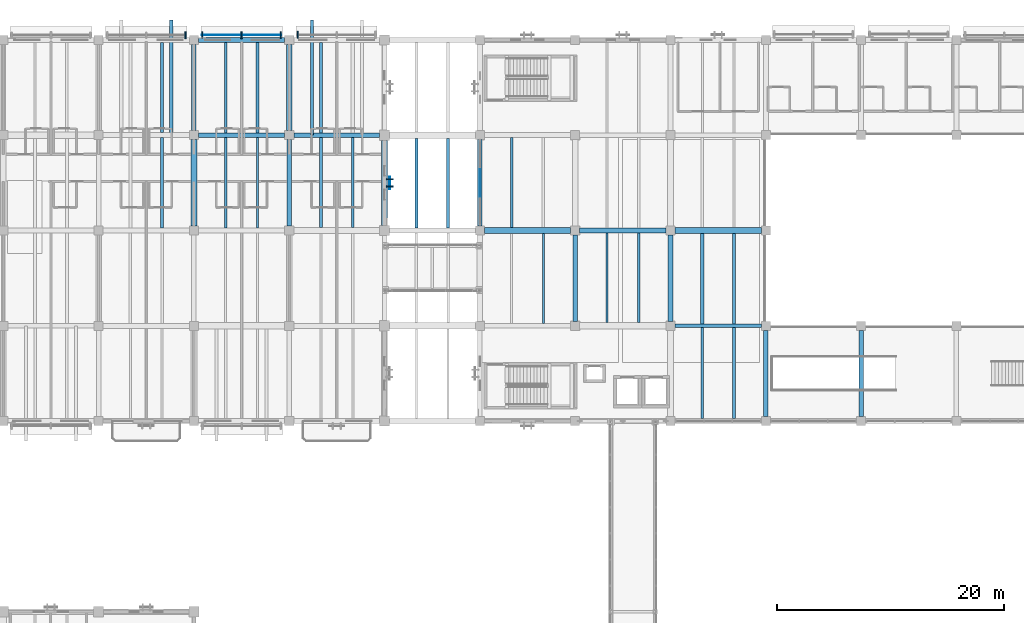
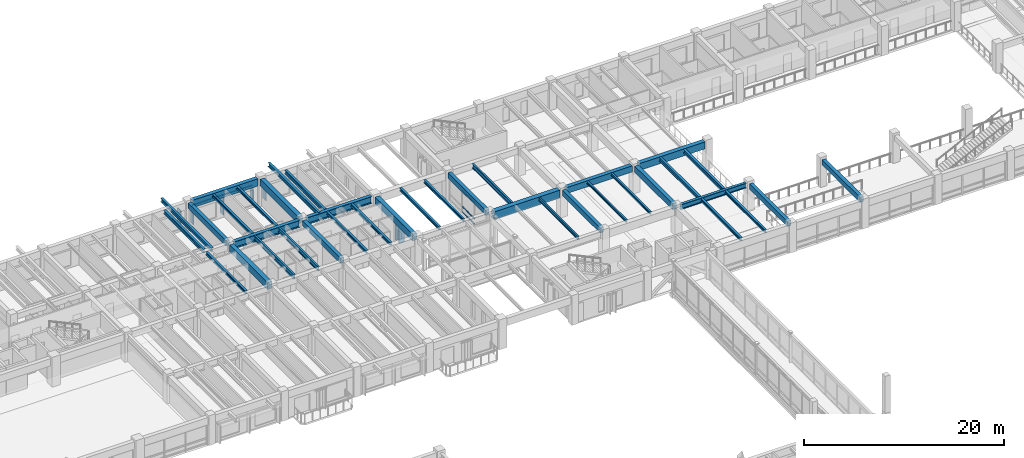
# One storey, part 37 of 118: 38 beams, 12 members, 5 elements without a shape of their own.
"""IFC4 building model written with IfcOpenShell, lengths in metres."""

from ifc_helpers import new_model, si_unit, direction, frame, origin, origin_2d, place, context, subcontext, project, spatial, rectangle, i_section, extrude, material, material_profile, profile_set, type_object, element, aggregate, save


model = new_model("IFC4")

# Units and contexts
model_context = context("Model", 3, precision=1e-05, world=origin(), true_north=direction((0.0, 1.0)))
body_context = subcontext(model_context, "Body", "Model", "MODEL_VIEW")
ifc_project = project(units=[si_unit("LENGTHUNIT", "METRE"), si_unit("AREAUNIT", "SQUARE_METRE"), si_unit("VOLUMEUNIT", "CUBIC_METRE"), si_unit("PLANEANGLEUNIT", "RADIAN"), si_unit("MASSUNIT", "GRAM", prefix="KILO")], contexts=[model_context])

# Site, building, storey
site_placement = place(None, origin())
site = spatial("IfcSite", under=ifc_project, at=site_placement, CompositionType="ELEMENT")
building_placement = place(site_placement, origin())
building = spatial("IfcBuilding", under=site, at=building_placement, Name="Cumbredor Promenade Congress Hotel", CompositionType="ELEMENT")
storey_placement = place(building_placement, frame((0.0, 0.0, 3.919921875)))
storey = spatial("IfcBuildingStorey", under=building, at=storey_placement, Name="L01", CompositionType="ELEMENT", Elevation=3.919921875)

# Beams
ifc_material_1 = material(Name="Concrete C40/50", Category="concrete")
ifc_material_profile_1 = material_profile(ifc_material_1, rectangle(XDim=0.39990234375, YDim=0.64990234375, at=origin_2d()), Name="RC BEAM 400x650")
ifc_profile_set_1 = profile_set([ifc_material_profile_1], Name="Concrete C40/50")
beam_type_1 = type_object("IfcBeamType", Name="BM-RC-400x650", PredefinedType="BEAM", material=ifc_profile_set_1)
beam_1_placement = place(storey_placement, frame((67.199951171875, 109.60009765625, 3.03515625), z_axis=(0.0, 1.0, 0.0), x_axis=(-1.0, 0.0, 0.0)))
element("IfcBeam", 1, at=beam_1_placement, inside=storey, type_object=beam_type_1, Name="L02 Y-Grid Beam 133", PredefinedType="BEAM", context=body_context, shape_type="SweptSolid", body=[
    extrude(rectangle(XDim=0.39990234375, YDim=0.64990234375, at=origin_2d()), origin(), (0.0, 0.0, 1.0), 7.599853515625),
])
for number, where, z_axis, x_axis, name in (
    (2, (75.60009765625, 101.199951171875, 3.03515625), (0.0, 1.0, 0.0), (-1.0, 0.0, 0.0), "L02 Y-Grid Beam 149"),
    (3, (92.39990234375, 101.199951171875, 3.03515625), (0.0, 1.0, 0.0), (-1.0, 0.0, 0.0), "L02 Y-Grid Beam 177"),
):
    element("IfcBeam", number, at=place(storey_placement, frame(where, z_axis=z_axis, x_axis=x_axis)), inside=storey, type_object=beam_type_1, Name=name, PredefinedType="BEAM", context=body_context, shape_type="SweptSolid", body=[
        extrude(rectangle(XDim=0.39990234375, YDim=0.64990234375, at=origin_2d()), origin(), (0.0, 0.0, 1.0), 7.60009765625),
    ])
beam_2_placement = place(storey_placement, frame((100.800048828125, 92.800048828125, 3.03515625), z_axis=(0.0, 1.0, 0.0), x_axis=(-1.0, 0.0, 0.0)))
element("IfcBeam", 4, at=beam_2_placement, inside=storey, type_object=beam_type_1, Name="L02 Y-Grid Beam 189", PredefinedType="BEAM", context=body_context, shape_type="SweptSolid", body=[
    extrude(rectangle(XDim=0.39990234375, YDim=0.64990234375, at=origin_2d()), origin(), (0.0, 0.0, 1.0), 7.599853515625),
])
for number, where, z_axis, x_axis, name in (
    (5, (117.60009765625, 84.39990234375, 3.03515625), (0.0, 1.0, 0.0), (-1.0, 0.0, 0.0), "L02 Y-Grid Beam 209"),
    (6, (126.0, 84.39990234375, 3.03515625), (0.0, 1.0, 0.0), (-1.0, 0.0, 0.0), "L02 Y-Grid Beam 213"),
):
    element("IfcBeam", number, at=place(storey_placement, frame(where, z_axis=z_axis, x_axis=x_axis)), inside=storey, type_object=beam_type_1, Name=name, PredefinedType="BEAM", context=body_context, shape_type="SweptSolid", body=[
        extrude(rectangle(XDim=0.39990234375, YDim=0.64990234375, at=origin_2d()), origin(), (0.0, 0.0, 1.0), 7.60009765625),
    ])
ifc_material_profile_2 = material_profile(ifc_material_1, rectangle(XDim=0.449951171875, YDim=0.75, at=origin_2d()), Name="RC BEAM 450x750")
ifc_profile_set_2 = profile_set([ifc_material_profile_2], Name="Concrete C40/50")
beam_type_2 = type_object("IfcBeamType", Name="BM-RC-450x750", PredefinedType="BEAM", material=ifc_profile_set_2)
beam_3_placement = place(storey_placement, frame((101.199951171875, 100.800048828125, 2.985107421875), z_axis=(1.0, 0.0, 0.0), x_axis=(0.0, 1.0, 0.0)))
element("IfcBeam", 7, at=beam_3_placement, inside=storey, type_object=beam_type_2, Name="L02 X-Grid Beam 190", PredefinedType="BEAM", context=body_context, shape_type="SweptSolid", body=[
    extrude(rectangle(XDim=0.449951171875, YDim=0.75, at=origin_2d()), origin(), (0.0, 0.0, 1.0), 7.60009765625),
])
beam_4_placement = place(storey_placement, frame((109.199951171875, 92.800048828125, 2.985107421875), z_axis=(0.0, 1.0, 0.0), x_axis=(-1.0, 0.0, 0.0)))
element("IfcBeam", 8, at=beam_4_placement, inside=storey, type_object=beam_type_2, Name="L02 Y-Grid Beam 202", PredefinedType="BEAM", context=body_context, shape_type="SweptSolid", body=[
    extrude(rectangle(XDim=0.449951171875, YDim=0.75, at=origin_2d()), origin(), (0.0, 0.0, 1.0), 7.599853515625),
])
ifc_material_profile_3 = material_profile(ifc_material_1, rectangle(XDim=0.5, YDim=0.85009765625, at=origin_2d()), Name="RC BEAM 500x850")
ifc_profile_set_3 = profile_set([ifc_material_profile_3], Name="Concrete C40/50")
beam_type_3 = type_object("IfcBeamType", Name="BM-RC-500x850", PredefinedType="BEAM", material=ifc_profile_set_3)
beam_5_placement = place(storey_placement, frame((67.199951171875, 101.199951171875, 2.93505859375), z_axis=(0.0, 1.0, 0.0), x_axis=(-1.0, 0.0, 0.0)))
element("IfcBeam", 9, at=beam_5_placement, inside=storey, type_object=beam_type_3, Name="L02 Y-Grid Beam 131", PredefinedType="BEAM", context=body_context, shape_type="SweptSolid", body=[
    extrude(rectangle(XDim=0.5, YDim=0.85009765625, at=origin_2d()), origin(), (0.0, 0.0, 1.0), 7.60009765625),
])
beam_6_placement = place(storey_placement, frame((75.60009765625, 109.60009765625, 2.93505859375), z_axis=(0.0, 1.0, 0.0), x_axis=(-1.0, 0.0, 0.0)))
element("IfcBeam", 10, at=beam_6_placement, inside=storey, type_object=beam_type_3, Name="L02 Y-Grid Beam 151", PredefinedType="BEAM", context=body_context, shape_type="SweptSolid", body=[
    extrude(rectangle(XDim=0.5, YDim=0.85009765625, at=origin_2d()), origin(), (0.0, 0.0, 1.0), 7.599853515625),
])
beam_7_placement = place(storey_placement, frame((84.0, 101.25, 2.93505859375), z_axis=(0.0, 1.0, 0.0), x_axis=(-1.0, 0.0, 0.0)))
element("IfcBeam", 11, at=beam_7_placement, inside=storey, type_object=beam_type_3, Name="L02 Y-Grid Beam 163", PredefinedType="BEAM", context=body_context, shape_type="SweptSolid", body=[
    extrude(rectangle(XDim=0.5, YDim=0.85009765625, at=origin_2d()), origin(), (0.0, 0.0, 1.0), 7.5),
])
beam_8_placement = place(storey_placement, frame((109.60009765625, 100.800048828125, 2.93505859375), z_axis=(1.0, 0.0, 0.0), x_axis=(0.0, 1.0, 0.0)))
element("IfcBeam", 12, at=beam_8_placement, inside=storey, type_object=beam_type_3, Name="L02 X-Grid Beam 203", PredefinedType="BEAM", context=body_context, shape_type="SweptSolid", body=[
    extrude(rectangle(XDim=0.5, YDim=0.85009765625, at=origin_2d()), origin(), (0.0, 0.0, 1.0), 7.599853515625),
])
ifc_material_profile_4 = material_profile(ifc_material_1, rectangle(XDim=0.550048828125, YDim=0.949951171875, at=origin_2d()), Name="RC BEAM 550x950")
ifc_profile_set_4 = profile_set([ifc_material_profile_4], Name="Concrete C40/50")
beam_type_4 = type_object("IfcBeamType", Name="BM-RC-550x950", PredefinedType="BEAM", material=ifc_profile_set_4)
beam_9_placement = place(storey_placement, frame((92.800048828125, 100.800048828125, 2.885009765625), z_axis=(1.0, 0.0, 0.0), x_axis=(0.0, 1.0, 0.0)))
element("IfcBeam", 13, at=beam_9_placement, inside=storey, type_object=beam_type_4, Name="L02 X-Grid Beam 176", PredefinedType="BEAM", context=body_context, shape_type="SweptSolid", body=[
    extrude(rectangle(XDim=0.550048828125, YDim=0.949951171875, at=origin_2d()), origin(), (0.0, 0.0, 1.0), 7.599853515625),
])
ifc_material_2 = material(Name="Steel ASTM A992 Grade 50", Category="steel")
ifc_material_profile_5 = material_profile(ifc_material_2, i_section(OverallWidth=0.323974609375, OverallDepth=0.611083984375, WebThickness=0.0126953125, FlangeThickness=0.01904296875, at=origin_2d()), Name="W24X104")
ifc_profile_set_5 = profile_set([ifc_material_profile_5], Name="Steel ASTM A992 Grade 50")
beam_type_5 = type_object("IfcBeamType", Name="BM-W24X104", PredefinedType="BEAM", material=ifc_profile_set_5)
beam_10_placement = place(storey_placement, frame((109.60009765625, 92.39990234375, 3.0546875), z_axis=(1.0, 0.0, 0.0), x_axis=(0.0, 1.0, 0.0)))
element("IfcBeam", 14, at=beam_10_placement, inside=storey, type_object=beam_type_5, Name="L02 X-Grid Beam 201", PredefinedType="BEAM", context=body_context, shape_type="SweptSolid", body=[
    extrude(i_section(OverallWidth=0.323974609375, OverallDepth=0.611083984375, WebThickness=0.0126953125, FlangeThickness=0.01904296875, at=origin_2d()), origin(), (0.0, 0.0, 1.0), 7.599853515625),
])
ifc_material_profile_6 = material_profile(ifc_material_2, i_section(OverallWidth=0.39990234375, OverallDepth=0.85498046875, WebThickness=0.018310546875, FlangeThickness=0.029296875, at=origin_2d()), Name="W33X201")
ifc_profile_set_6 = profile_set([ifc_material_profile_6], Name="Steel ASTM A992 Grade 50")
beam_type_6 = type_object("IfcBeamType", Name="BM-W33X201", PredefinedType="BEAM", material=ifc_profile_set_6)
beam_11_placement = place(storey_placement, frame((67.60009765625, 109.199951171875, 2.9326171875), z_axis=(1.0, 0.0, 0.0), x_axis=(0.0, 1.0, 0.0)))
element("IfcBeam", 15, at=beam_11_placement, inside=storey, type_object=beam_type_6, Name="L02 X-Grid Beam 132", PredefinedType="BEAM", context=body_context, shape_type="SweptSolid", body=[
    extrude(i_section(OverallWidth=0.39990234375, OverallDepth=0.85498046875, WebThickness=0.018310546875, FlangeThickness=0.029296875, at=origin_2d()), origin(), (0.0, 0.0, 1.0), 7.599853515625),
])
beam_12_placement = place(storey_placement, frame((76.0, 109.199951171875, 2.9326171875), z_axis=(1.0, 0.0, 0.0), x_axis=(0.0, 1.0, 0.0)))
element("IfcBeam", 16, at=beam_12_placement, inside=storey, type_object=beam_type_6, Name="L02 X-Grid Beam 150", PredefinedType="BEAM", context=body_context, shape_type="SweptSolid", body=[
    extrude(i_section(OverallWidth=0.39990234375, OverallDepth=0.85498046875, WebThickness=0.018310546875, FlangeThickness=0.029296875, at=origin_2d()), origin(), (0.0, 0.0, 1.0), 7.550048828125),
])

# Curtain wall, members
ifc_material_3 = material(Name="Thermally broken anodized aluminium and low-E glass", Category="aluminium")
curtain_wall_type_1 = type_object("IfcCurtainWallType", Name="Unitised Forum Curtain Wall CW-02", PredefinedType="NOTDEFINED", material=ifc_material_3)
curtain_wall_1_placement = place(storey_placement, origin())
curtain_wall_1 = element("IfcCurtainWall", 17, at=curtain_wall_1_placement, inside=storey, type_object=curtain_wall_type_1, Name="L01 Pre-Function and Breakout Meeting Forum West Curtain Wall 3", PredefinedType="NOTDEFINED")
ifc_material_4 = material(Name="Thermally broken anodized aluminium", Category="aluminium")
ifc_material_profile_7 = material_profile(ifc_material_4, rectangle(XDim=0.06494140625, YDim=0.1298828125, at=origin_2d()), Name="ALU TRANSOM 65x130")
ifc_profile_set_7 = profile_set([ifc_material_profile_7], Name="Thermally broken anodized aluminium")
member_type_1 = type_object("IfcMemberType", Name="Curtain Wall Transom TR-01", PredefinedType="USERDEFINED", material=ifc_profile_set_7)
member_1_placement = place(storey_placement, frame((92.39990234375, 103.7841796875, 0.06005859375), z_axis=(0.0, 1.0, 0.0), x_axis=(-1.0, 0.0, 0.0)))
member_1 = element("IfcMember", 18, at=member_1_placement, type_object=member_type_1, Name="L01 Pre-Function and Breakout Meeting Forum West Curtain Wall 3 Transom 2.1", ObjectType="TRANSOM", PredefinedType="USERDEFINED", context=body_context, shape_type="SweptSolid", body=[
    extrude(rectangle(XDim=0.06494140625, YDim=0.1298828125, at=origin_2d()), origin(), (0.0, 0.0, 1.0), 2.431640625),
])
member_2_placement = place(storey_placement, frame((92.39990234375, 103.7841796875, 0.719970703125), z_axis=(0.0, 1.0, 0.0), x_axis=(-1.0, 0.0, 0.0)))
member_2 = element("IfcMember", 19, at=member_2_placement, type_object=member_type_1, Name="L01 Pre-Function and Breakout Meeting Forum West Curtain Wall 3 Transom 2.2", ObjectType="TRANSOM", PredefinedType="USERDEFINED", context=body_context, shape_type="SweptSolid", body=[
    extrude(rectangle(XDim=0.06494140625, YDim=0.1298828125, at=origin_2d()), origin(), (0.0, 0.0, 1.0), 2.431640625),
])
member_3_placement = place(storey_placement, frame((92.39990234375, 103.7841796875, 2.630126953125), z_axis=(0.0, 1.0, 0.0), x_axis=(-1.0, 0.0, 0.0)))
member_3 = element("IfcMember", 20, at=member_3_placement, type_object=member_type_1, Name="L01 Pre-Function and Breakout Meeting Forum West Curtain Wall 3 Transom 2.3", ObjectType="TRANSOM", PredefinedType="USERDEFINED", context=body_context, shape_type="SweptSolid", body=[
    extrude(rectangle(XDim=0.06494140625, YDim=0.1298828125, at=origin_2d()), origin(), (0.0, 0.0, 1.0), 2.431640625),
])
aggregate(curtain_wall_1, [member_1, member_2, member_3])

# Curtain wall, member
curtain_wall_type_2 = type_object("IfcCurtainWallType", Name="Solar Brise-Soleil Screen Assembly CW-07", PredefinedType="NOTDEFINED", material=ifc_material_3)
curtain_wall_2_placement = place(storey_placement, origin())
curtain_wall_2 = element("IfcCurtainWall", 21, at=curtain_wall_2_placement, inside=storey, type_object=curtain_wall_type_2, Name="L01 Hospitality Brise-Soleil Screen 028", PredefinedType="NOTDEFINED")
member_4_placement = place(storey_placement, frame((67.90087890625, 118.0224609375, 2.26513671875), z_axis=(1.0, 0.0, 0.0), x_axis=(0.0, 1.0, 0.0)))
member_4 = element("IfcMember", 22, at=member_4_placement, type_object=member_type_1, Name="L01 Brise-Soleil Screen Transom 028", ObjectType="TRANSOM", PredefinedType="USERDEFINED", context=body_context, shape_type="SweptSolid", body=[
    extrude(rectangle(XDim=0.06494140625, YDim=0.1298828125, at=origin_2d()), origin(), (0.0, 0.0, 1.0), 6.998046875),
])

curtain_wall_3_placement = place(storey_placement, origin())
curtain_wall_3 = element("IfcCurtainWall", 23, at=curtain_wall_3_placement, inside=storey, type_object=curtain_wall_type_2, Name="L01 Pier Brise-Soleil Screen 0346", PredefinedType="NOTDEFINED")
member_5_placement = place(storey_placement, frame((84.449951171875, 104.449951171875, 2.3349609375), z_axis=(0.0, 1.0, 0.0), x_axis=(-1.0, 0.0, 0.0)))
member_5 = element("IfcMember", 24, at=member_5_placement, type_object=member_type_1, Name="L01 Pier Brise-Soleil Header 0348", ObjectType="TRANSOM", PredefinedType="USERDEFINED", context=body_context, shape_type="SweptSolid", body=[
    extrude(rectangle(XDim=0.06494140625, YDim=0.1298828125, at=origin_2d()), origin(), (0.0, 0.0, 1.0), 1.10009765625),
])

# Beams
ifc_material_profile_8 = material_profile(ifc_material_2, i_section(OverallWidth=0.202880859375, OverallDepth=0.302978515625, WebThickness=0.007568359375, FlangeThickness=0.01318359375, at=origin_2d()), Name="W12X40")
ifc_profile_set_8 = profile_set([ifc_material_profile_8], Name="Steel ASTM A992 Grade 50")
beam_type_7 = type_object("IfcBeamType", Name="JST-W12X40", PredefinedType="JOIST", material=ifc_profile_set_8)
for number, where, z_axis, x_axis, name in (
    (25, (103.60009765625, 92.675048828125, 3.20849609375), (0.0, 1.0, 0.0), (-1.0, 0.0, 0.0), "L02 Secondary Floor Joist 0112"),
    (26, (106.39990234375, 92.675048828125, 3.20849609375), (0.0, 1.0, 0.0), (-1.0, 0.0, 0.0), "L02 Secondary Floor Joist 0113"),
):
    element("IfcBeam", number, at=place(storey_placement, frame(where, z_axis=z_axis, x_axis=x_axis)), inside=storey, type_object=beam_type_7, Name=name, PredefinedType="JOIST", context=body_context, shape_type="SweptSolid", body=[
        extrude(i_section(OverallWidth=0.202880859375, OverallDepth=0.302978515625, WebThickness=0.007568359375, FlangeThickness=0.01318359375, at=origin_2d()), origin(), (0.0, 0.0, 1.0), 7.89990234375),
    ])
ifc_material_profile_9 = material_profile(ifc_material_2, i_section(OverallWidth=0.2548828125, OverallDepth=0.35693359375, WebThickness=0.010498046875, FlangeThickness=0.018310546875, at=origin_2d()), Name="W14X68")
ifc_profile_set_9 = profile_set([ifc_material_profile_9], Name="Steel ASTM A992 Grade 50")
beam_type_8 = type_object("IfcBeamType", Name="JST-W14X68", PredefinedType="JOIST", material=ifc_profile_set_9)
for number, where, z_axis, x_axis, name in (
    (27, (64.39990234375, 101.0, 3.181640625), (0.0, 1.0, 0.0), (-1.0, 0.0, 0.0), "L02 Secondary Floor Joist 0059"),
    (28, (70.0, 109.39990234375, 3.181640625), (0.0, 1.0, 0.0), (-1.0, 0.0, 0.0), "L02 Secondary Floor Joist 0078"),
    (29, (72.800048828125, 109.39990234375, 3.181640625), (0.0, 1.0, 0.0), (-1.0, 0.0, 0.0), "L02 Secondary Floor Joist 0079"),
):
    element("IfcBeam", number, at=place(storey_placement, frame(where, z_axis=z_axis, x_axis=x_axis)), inside=storey, type_object=beam_type_8, Name=name, PredefinedType="JOIST", context=body_context, shape_type="SweptSolid", body=[
        extrude(i_section(OverallWidth=0.2548828125, OverallDepth=0.35693359375, WebThickness=0.010498046875, FlangeThickness=0.018310546875, at=origin_2d()), origin(), (0.0, 0.0, 1.0), 7.97509765625),
    ])
for number, where, z_axis, x_axis, name in (
    (30, (78.39990234375, 101.074951171875, 3.181640625), (0.0, 1.0, 0.0), (-1.0, 0.0, 0.0), "L02 Secondary Floor Joist 0088"),
    (31, (81.199951171875, 101.074951171875, 3.181640625), (0.0, 1.0, 0.0), (-1.0, 0.0, 0.0), "L02 Secondary Floor Joist 0089"),
    (32, (86.800048828125, 101.0, 3.181640625), (0.0, 1.0, 0.0), (-1.0, 0.0, 0.0), "L02 Secondary Floor Joist 0098"),
    (33, (89.60009765625, 101.0, 3.181640625), (0.0, 1.0, 0.0), (-1.0, 0.0, 0.0), "L02 Secondary Floor Joist 0099"),
):
    element("IfcBeam", number, at=place(storey_placement, frame(where, z_axis=z_axis, x_axis=x_axis)), inside=storey, type_object=beam_type_8, Name=name, PredefinedType="JOIST", context=body_context, shape_type="SweptSolid", body=[
        extrude(i_section(OverallWidth=0.2548828125, OverallDepth=0.35693359375, WebThickness=0.010498046875, FlangeThickness=0.018310546875, at=origin_2d()), origin(), (0.0, 0.0, 1.0), 7.925048828125),
    ])
for number, where, z_axis, x_axis, name in (
    (34, (112.0, 84.22509765625, 3.181640625), (0.0, 1.0, 0.0), (-1.0, 0.0, 0.0), "L02 Secondary Floor Joist 0118"),
    (35, (114.800048828125, 84.22509765625, 3.181640625), (0.0, 1.0, 0.0), (-1.0, 0.0, 0.0), "L02 Secondary Floor Joist 0119"),
):
    element("IfcBeam", number, at=place(storey_placement, frame(where, z_axis=z_axis, x_axis=x_axis)), inside=storey, type_object=beam_type_8, Name=name, PredefinedType="JOIST", context=body_context, shape_type="SweptSolid", body=[
        extrude(i_section(OverallWidth=0.2548828125, OverallDepth=0.35693359375, WebThickness=0.010498046875, FlangeThickness=0.018310546875, at=origin_2d()), origin(), (0.0, 0.0, 1.0), 8.012939453125),
    ])
ifc_material_profile_10 = material_profile(ifc_material_2, i_section(OverallWidth=0.180908203125, OverallDepth=0.4169921875, WebThickness=0.010986328125, FlangeThickness=0.018310546875, at=origin_2d()), Name="W16X57")
ifc_profile_set_10 = profile_set([ifc_material_profile_10], Name="Steel ASTM A992 Grade 50")
beam_type_9 = type_object("IfcBeamType", Name="JST-W16X57", PredefinedType="JOIST", material=ifc_profile_set_10)
beam_13_placement = place(storey_placement, frame((98.0, 92.60009765625, 3.151611328125), z_axis=(0.0, 1.0, 0.0), x_axis=(-1.0, 0.0, 0.0)))
element("IfcBeam", 36, at=beam_13_placement, inside=storey, type_object=beam_type_9, Name="L02 Secondary Floor Joist 0105", PredefinedType="JOIST", context=body_context, shape_type="SweptSolid", body=[
    extrude(i_section(OverallWidth=0.180908203125, OverallDepth=0.4169921875, WebThickness=0.010986328125, FlangeThickness=0.018310546875, at=origin_2d()), origin(), (0.0, 0.0, 1.0), 7.9248046875),
])
ifc_material_profile_11 = material_profile(ifc_material_2, i_section(OverallWidth=0.280029296875, OverallDepth=0.462890625, WebThickness=0.0107421875, FlangeThickness=0.017333984375, at=origin_2d()), Name="W18X76")
ifc_profile_set_11 = profile_set([ifc_material_profile_11], Name="Steel ASTM A992 Grade 50")
beam_type_10 = type_object("IfcBeamType", Name="JST-W18X76", PredefinedType="JOIST", material=ifc_profile_set_11)
for number, where, z_axis, x_axis, name in (
    (37, (65.199951171875, 109.199951171875, 3.128662109375), (0.0, 1.0, 0.0), (-1.0, 0.0, 0.0), "L02 Balcony Back-Spanned Outrigger Beam 007.2"),
    (38, (77.60009765625, 109.199951171875, 3.128662109375), (0.0, 1.0, 0.0), (-1.0, 0.0, 0.0), "L02 Balcony Back-Spanned Outrigger Beam 008.1"),
):
    element("IfcBeam", number, at=place(storey_placement, frame(where, z_axis=z_axis, x_axis=x_axis)), inside=storey, type_object=beam_type_10, Name=name, PredefinedType="JOIST", context=body_context, shape_type="SweptSolid", body=[
        extrude(i_section(OverallWidth=0.280029296875, OverallDepth=0.462890625, WebThickness=0.0107421875, FlangeThickness=0.017333984375, at=origin_2d()), origin(), (0.0, 0.0, 1.0), 10.150146484375),
    ])
beam_14_placement = place(storey_placement, frame((64.39990234375, 109.425048828125, 3.128662109375), z_axis=(0.0, 1.0, 0.0), x_axis=(-1.0, 0.0, 0.0)))
element("IfcBeam", 39, at=beam_14_placement, inside=storey, type_object=beam_type_10, Name="L02 Secondary Floor Joist 0061", PredefinedType="JOIST", context=body_context, shape_type="SweptSolid", body=[
    extrude(i_section(OverallWidth=0.280029296875, OverallDepth=0.462890625, WebThickness=0.0107421875, FlangeThickness=0.017333984375, at=origin_2d()), origin(), (0.0, 0.0, 1.0), 7.949951171875),
])
beam_15_placement = place(storey_placement, frame((78.39990234375, 109.39990234375, 3.128662109375), z_axis=(0.0, 1.0, 0.0), x_axis=(-1.0, 0.0, 0.0)))
element("IfcBeam", 40, at=beam_15_placement, inside=storey, type_object=beam_type_10, Name="L02 Secondary Floor Joist 0090", PredefinedType="JOIST", context=body_context, shape_type="SweptSolid", body=[
    extrude(i_section(OverallWidth=0.280029296875, OverallDepth=0.462890625, WebThickness=0.0107421875, FlangeThickness=0.017333984375, at=origin_2d()), origin(), (0.0, 0.0, 1.0), 7.97509765625),
])
for number, where, z_axis, x_axis, name in (
    (41, (112.0, 92.56201171875, 3.128662109375), (0.0, 1.0, 0.0), (-1.0, 0.0, 0.0), "L02 Secondary Floor Joist 0120"),
    (42, (114.800048828125, 92.56201171875, 3.128662109375), (0.0, 1.0, 0.0), (-1.0, 0.0, 0.0), "L02 Secondary Floor Joist 0121"),
):
    element("IfcBeam", number, at=place(storey_placement, frame(where, z_axis=z_axis, x_axis=x_axis)), inside=storey, type_object=beam_type_10, Name=name, PredefinedType="JOIST", context=body_context, shape_type="SweptSolid", body=[
        extrude(i_section(OverallWidth=0.280029296875, OverallDepth=0.462890625, WebThickness=0.0107421875, FlangeThickness=0.017333984375, at=origin_2d()), origin(), (0.0, 0.0, 1.0), 7.988037109375),
    ])
ifc_material_profile_12 = material_profile(ifc_material_2, i_section(OverallWidth=0.214111328125, OverallDepth=0.549072265625, WebThickness=0.0146484375, FlangeThickness=0.023681640625, at=origin_2d()), Name="W21X93")
ifc_profile_set_12 = profile_set([ifc_material_profile_12], Name="Steel ASTM A992 Grade 50")
beam_type_11 = type_object("IfcBeamType", Name="JST-W21X93", PredefinedType="JOIST", material=ifc_profile_set_12)
for number, where, z_axis, x_axis, name in (
    (43, (70.0, 101.02490234375, 3.085693359375), (0.0, 1.0, 0.0), (-1.0, 0.0, 0.0), "L02 Secondary Floor Joist 0076"),
    (44, (72.800048828125, 101.02490234375, 3.085693359375), (0.0, 1.0, 0.0), (-1.0, 0.0, 0.0), "L02 Secondary Floor Joist 0077"),
):
    element("IfcBeam", number, at=place(storey_placement, frame(where, z_axis=z_axis, x_axis=x_axis)), inside=storey, type_object=beam_type_11, Name=name, PredefinedType="JOIST", context=body_context, shape_type="SweptSolid", body=[
        extrude(i_section(OverallWidth=0.214111328125, OverallDepth=0.549072265625, WebThickness=0.0146484375, FlangeThickness=0.023681640625, at=origin_2d()), origin(), (0.0, 0.0, 1.0), 7.97509765625),
    ])
beam_16_placement = place(storey_placement, frame((95.199951171875, 101.074951171875, 3.085693359375), z_axis=(0.0, 1.0, 0.0), x_axis=(-1.0, 0.0, 0.0)))
element("IfcBeam", 45, at=beam_16_placement, inside=storey, type_object=beam_type_11, Name="L02 Secondary Floor Joist 0106", PredefinedType="JOIST", context=body_context, shape_type="SweptSolid", body=[
    extrude(i_section(OverallWidth=0.214111328125, OverallDepth=0.549072265625, WebThickness=0.0146484375, FlangeThickness=0.023681640625, at=origin_2d()), origin(), (0.0, 0.0, 1.0), 7.900146484375),
])
ifc_material_profile_13 = material_profile(ifc_material_1, rectangle(XDim=0.449951171875, YDim=0.89990234375, at=origin_2d()), Name="RC SPANDREL 450x900")
ifc_profile_set_13 = profile_set([ifc_material_profile_13], Name="Concrete C40/50")
beam_type_12 = type_object("IfcBeamType", Name="SP-RC-450x900", PredefinedType="SPANDREL", material=ifc_profile_set_13)
beam_17_placement = place(storey_placement, frame((67.60009765625, 117.60009765625, 2.91015625), z_axis=(1.0, 0.0, 0.0), x_axis=(0.0, 1.0, 0.0)))
element("IfcBeam", 46, at=beam_17_placement, inside=storey, type_object=beam_type_12, Name="L02 X-Grid Beam 134", PredefinedType="SPANDREL", context=body_context, shape_type="SweptSolid", body=[
    extrude(rectangle(XDim=0.449951171875, YDim=0.89990234375, at=origin_2d()), origin(), (0.0, 0.0, 1.0), 7.599853515625),
])

# Curtain wall, member
curtain_wall_4_placement = place(storey_placement, origin())
curtain_wall_4 = element("IfcCurtainWall", 47, at=curtain_wall_4_placement, inside=storey, type_object=curtain_wall_type_2, Name="L01 Hospitality Brise-Soleil Screen 027", PredefinedType="NOTDEFINED")
ifc_material_profile_14 = material_profile(ifc_material_4, rectangle(XDim=0.110107421875, YDim=0.6201171875, at=origin_2d()), Name="ARCH FIN 110x620")
ifc_profile_set_14 = profile_set([ifc_material_profile_14], Name="Thermally broken anodized aluminium")
member_type_2 = type_object("IfcMemberType", Name="Vertical Bronze Brise-Soleil Fin BSF-02 110x620", PredefinedType="USERDEFINED", material=ifc_profile_set_14)
member_6_placement = place(storey_placement, frame((66.448974609375, 118.010009765625, 0.02001953125), z_axis=(0.0, 0.0, 1.0), x_axis=(1.0, 0.0, 0.0)))
member_6 = element("IfcMember", 48, at=member_6_placement, type_object=member_type_2, Name="L01 Vertical Brise-Soleil Fin 0324", ObjectType="SOLAR FIN", PredefinedType="USERDEFINED", context=body_context, shape_type="SweptSolid", body=[
    extrude(rectangle(XDim=0.110107421875, YDim=0.6201171875, at=origin_2d()), origin(), (0.0, 0.0, 1.0), 2.30517578125),
])
aggregate(curtain_wall_4, [member_6])

# Member
member_7_placement = place(storey_placement, frame((71.39990234375, 118.0224609375, 0.02001953125), z_axis=(0.0, 0.0, 1.0), x_axis=(1.0, 0.0, 0.0)))
member_7 = element("IfcMember", 49, at=member_7_placement, type_object=member_type_2, Name="L01 Vertical Brise-Soleil Fin 0326", ObjectType="SOLAR FIN", PredefinedType="USERDEFINED", context=body_context, shape_type="SweptSolid", body=[
    extrude(rectangle(XDim=0.110107421875, YDim=0.6201171875, at=origin_2d()), origin(), (0.0, 0.0, 1.0), 2.30517578125),
])

# Curtain wall, member
curtain_wall_5_placement = place(storey_placement, origin())
curtain_wall_5 = element("IfcCurtainWall", 50, at=curtain_wall_5_placement, inside=storey, type_object=curtain_wall_type_2, Name="L01 Hospitality Brise-Soleil Screen 029", PredefinedType="NOTDEFINED")
member_8_placement = place(storey_placement, frame((76.35107421875, 118.034912109375, 0.02001953125), z_axis=(0.0, 0.0, 1.0), x_axis=(1.0, 0.0, 0.0)))
member_8 = element("IfcMember", 51, at=member_8_placement, type_object=member_type_2, Name="L01 Vertical Brise-Soleil Fin 0328", ObjectType="SOLAR FIN", PredefinedType="USERDEFINED", context=body_context, shape_type="SweptSolid", body=[
    extrude(rectangle(XDim=0.110107421875, YDim=0.6201171875, at=origin_2d()), origin(), (0.0, 0.0, 1.0), 2.30517578125),
])
aggregate(curtain_wall_5, [member_8])

# Member
member_9_placement = place(storey_placement, frame((84.449951171875, 104.679931640625, 0.02001953125), z_axis=(0.0, 0.0, 1.0), x_axis=(0.0, 1.0, 0.0)))
member_9 = element("IfcMember", 52, at=member_9_placement, type_object=member_type_2, Name="L01 Pier Brise-Soleil Fin 0347", ObjectType="SOLAR FIN", PredefinedType="USERDEFINED", context=body_context, shape_type="SweptSolid", body=[
    extrude(rectangle(XDim=0.110107421875, YDim=0.6201171875, at=origin_2d()), origin(), (0.0, 0.0, 1.0), 2.35498046875),
])

member_10_placement = place(storey_placement, frame((84.449951171875, 105.320068359375, 0.02001953125), z_axis=(0.0, 0.0, 1.0), x_axis=(0.0, 1.0, 0.0)))
member_10 = element("IfcMember", 53, at=member_10_placement, type_object=member_type_2, Name="L01 Pier Brise-Soleil Fin 0348", ObjectType="SOLAR FIN", PredefinedType="USERDEFINED", context=body_context, shape_type="SweptSolid", body=[
    extrude(rectangle(XDim=0.110107421875, YDim=0.6201171875, at=origin_2d()), origin(), (0.0, 0.0, 1.0), 2.35498046875),
])

aggregate(curtain_wall_3, [member_9, member_10, member_5])

ifc_material_5 = material(Name="Kiln-dried tropical hardwood", Category="wood")
ifc_material_profile_15 = material_profile(ifc_material_5, rectangle(XDim=0.090087890625, YDim=0.550048828125, at=origin_2d()), Name="ARCH FIN 90x550")
ifc_profile_set_15 = profile_set([ifc_material_profile_15], Name="Kiln-dried tropical hardwood")
member_type_3 = type_object("IfcMemberType", Name="Vertical Hardwood Brise-Soleil Fin BSF-01 90x550", PredefinedType="USERDEFINED", material=ifc_profile_set_15)
member_11_placement = place(storey_placement, frame((67.950927734375, 118.0224609375, 0.02001953125), z_axis=(0.0, 0.0, 1.0), x_axis=(1.0, 0.0, 0.0)))
member_11 = element("IfcMember", 54, at=member_11_placement, type_object=member_type_3, Name="L01 Vertical Brise-Soleil Fin 0325", ObjectType="SOLAR FIN", PredefinedType="USERDEFINED", context=body_context, shape_type="SweptSolid", body=[
    extrude(rectangle(XDim=0.090087890625, YDim=0.550048828125, at=origin_2d()), origin(), (0.0, 0.0, 1.0), 2.30517578125),
])

member_12_placement = place(storey_placement, frame((74.84912109375, 118.0224609375, 0.02001953125), z_axis=(0.0, 0.0, 1.0), x_axis=(1.0, 0.0, 0.0)))
member_12 = element("IfcMember", 55, at=member_12_placement, type_object=member_type_3, Name="L01 Vertical Brise-Soleil Fin 0327", ObjectType="SOLAR FIN", PredefinedType="USERDEFINED", context=body_context, shape_type="SweptSolid", body=[
    extrude(rectangle(XDim=0.090087890625, YDim=0.550048828125, at=origin_2d()), origin(), (0.0, 0.0, 1.0), 2.30517578125),
])

aggregate(curtain_wall_2, [member_4, member_11, member_7, member_12])

save(model, "model.ifc")
